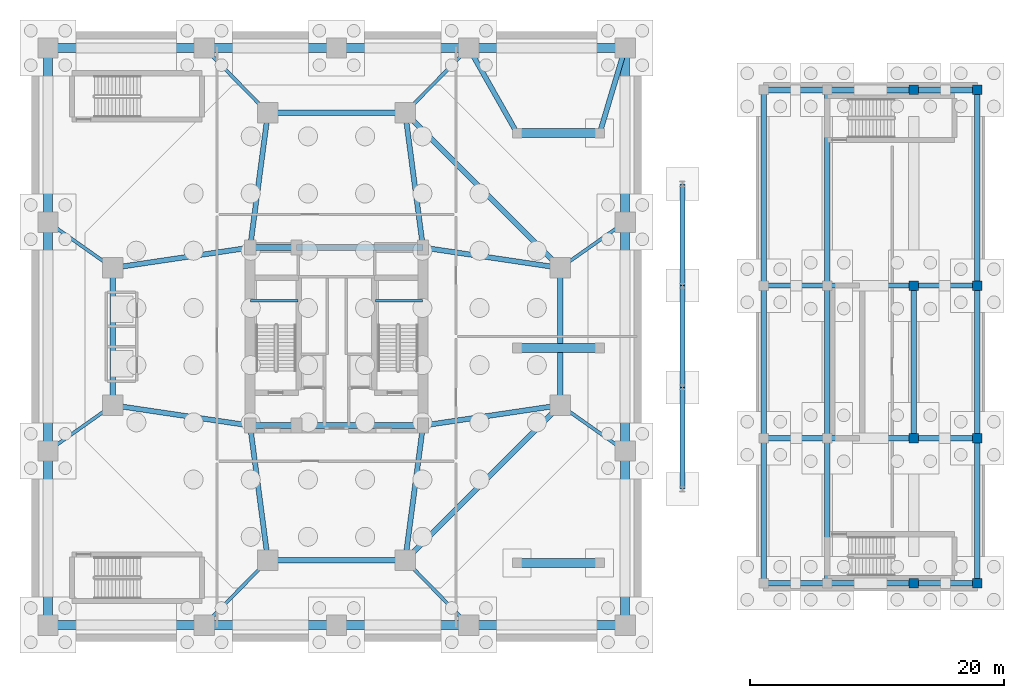
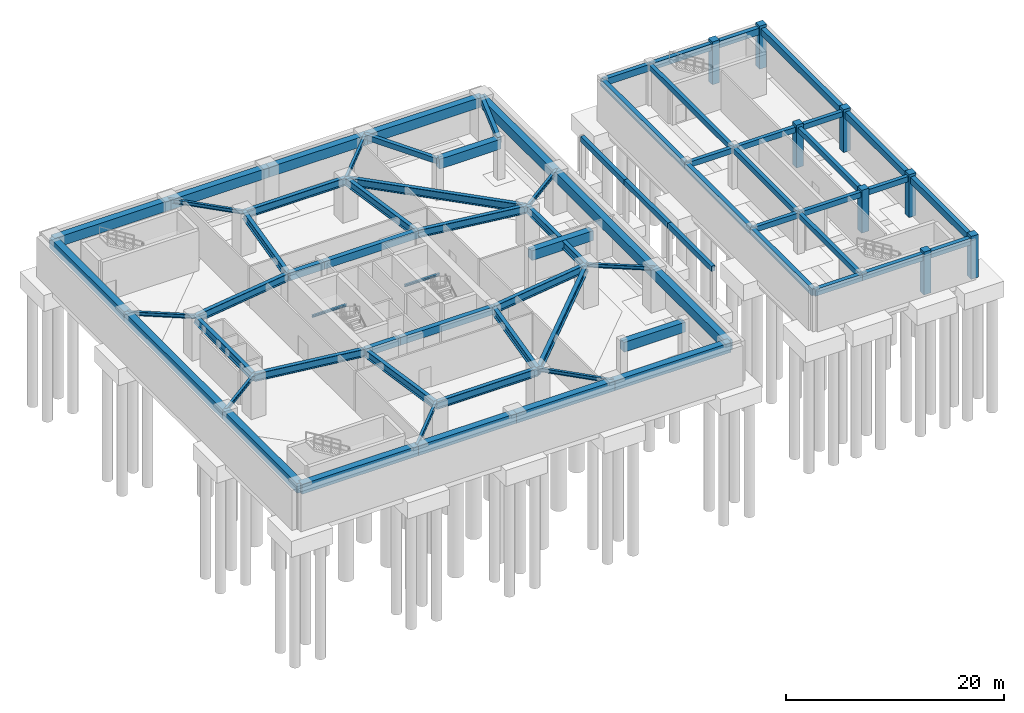
# One storey, part 5 of 11: 72 beams, 8 columns.
"""IFC4 building model written with IfcOpenShell, lengths in metres."""

from ifc_helpers import new_model, si_unit, direction, frame, origin, origin_2d, place, context, subcontext, project, spatial, rectangle, i_section, extrude, material, material_profile, profile_set, type_object, element, save


model = new_model("IFC4")

# Units and contexts
model_context = context("Model", 3, precision=1e-05, world=origin(), true_north=direction((0.0, 1.0)))
body_context = subcontext(model_context, "Body", "Model", "MODEL_VIEW")
ifc_project = project(units=[si_unit("LENGTHUNIT", "METRE"), si_unit("AREAUNIT", "SQUARE_METRE"), si_unit("VOLUMEUNIT", "CUBIC_METRE"), si_unit("PLANEANGLEUNIT", "RADIAN"), si_unit("MASSUNIT", "GRAM", prefix="KILO")], contexts=[model_context])

# Site, building, storey
site_placement = place(None, origin())
site = spatial("IfcSite", under=ifc_project, at=site_placement, CompositionType="ELEMENT")
building_placement = place(site_placement, origin())
building = spatial("IfcBuilding", under=site, at=building_placement, Name="Veraguas Prism Commons", CompositionType="ELEMENT")
storey_placement = place(building_placement, frame((0.0, 0.0, -10.0)))
storey = spatial("IfcBuildingStorey", under=building, at=storey_placement, Name="B2", CompositionType="ELEMENT", Elevation=-10.0)

# Columns
ifc_material_1 = material(Name="Concrete C50/60", Category="concrete")
ifc_material_profile_1 = material_profile(ifc_material_1, rectangle(XDim=0.75, YDim=0.75, at=origin_2d()), Name="RC750X750")
ifc_profile_set_1 = profile_set([ifc_material_profile_1], Name="Concrete C50/60")
column_type = type_object("IfcColumnType", Name="Column Clinic RC 750x750", PredefinedType="COLUMN", material=ifc_profile_set_1)
for number, where, z_axis, x_axis, name in (
    (1, (69.39990234375, 4.60009765625, 0.0), (0.0, 0.0, 1.0), (1.0, 0.0, 0.0), "Health Centre Column B2-HC09"),
    (2, (69.39990234375, 16.0, 0.0), (0.0, 0.0, 1.0), (1.0, 0.0, 0.0), "Health Centre Column B2-HC10"),
    (3, (69.39990234375, 28.0, 0.0), (0.0, 0.0, 1.0), (1.0, 0.0, 0.0), "Health Centre Column B2-HC11"),
    (4, (69.39990234375, 43.39990234375, 0.0), (0.0, 0.0, 1.0), (1.0, 0.0, 0.0), "Health Centre Column B2-HC12"),
    (5, (74.39990234375, 4.60009765625, 0.0), (0.0, 0.0, 1.0), (1.0, 0.0, 0.0), "Health Centre Column B2-HC13"),
    (6, (74.39990234375, 16.0, 0.0), (0.0, 0.0, 1.0), (1.0, 0.0, 0.0), "Health Centre Column B2-HC14"),
    (7, (74.39990234375, 28.0, 0.0), (0.0, 0.0, 1.0), (1.0, 0.0, 0.0), "Health Centre Column B2-HC15"),
    (8, (74.39990234375, 43.39990234375, 0.0), (0.0, 0.0, 1.0), (1.0, 0.0, 0.0), "Health Centre Column B2-HC16"),
):
    element("IfcColumn", number, at=place(storey_placement, frame(where, z_axis=z_axis, x_axis=x_axis)), inside=storey, type_object=column_type, Name=name, PredefinedType="COLUMN", context=body_context, shape_type="SweptSolid", body=[
        extrude(rectangle(XDim=0.75, YDim=0.75, at=origin_2d()), origin(), (0.0, 0.0, 1.0), 4.800048828125),
    ])

# Beams
ifc_material_profile_2 = material_profile(ifc_material_1, rectangle(XDim=0.39990234375, YDim=0.60009765625, at=origin_2d()), Name="RC400X600")
ifc_profile_set_2 = profile_set([ifc_material_profile_2], Name="Concrete C50/60")
beam_type_1 = type_object("IfcBeamType", Name="Clinic Secondary Beam RC 400x600", PredefinedType="BEAM", material=ifc_profile_set_2)
beam_1_placement = place(storey_placement, frame((38.199951171875, 40.0, 4.199951171875), z_axis=(-0.493347622228, 0.869832238792, 0.0), x_axis=(-0.869832238792, -0.493347622228, 0.0)))
element("IfcBeam", 9, at=beam_1_placement, inside=storey, type_object=beam_type_1, Name="Ramp Tie Beam West B2", PredefinedType="BEAM", context=body_context, shape_type="SweptSolid", body=[
    extrude(rectangle(XDim=0.39990234375, YDim=0.60009765625, at=origin_2d()), origin(), (0.0, 0.0, 1.0), 7.70263671875),
])
beam_2_placement = place(storey_placement, frame((44.699951171875, 40.0, 4.199951171875), z_axis=(0.286037440413, 0.958218442048, 0.0), x_axis=(-0.958218442048, 0.286037440413, 0.0)))
element("IfcBeam", 10, at=beam_2_placement, inside=storey, type_object=beam_type_1, Name="Ramp Tie Beam East B2", PredefinedType="BEAM", context=body_context, shape_type="SweptSolid", body=[
    extrude(rectangle(XDim=0.39990234375, YDim=0.60009765625, at=origin_2d()), origin(), (0.0, 0.0, 1.0), 6.9921875),
])
for number, where, z_axis, x_axis, name in (
    (11, (51.199951171875, 12.0, 4.5), (0.0, 1.0, 0.0), (-1.0, 0.0, 0.0), "Substructure Tie Beam B2-CNB01"),
    (12, (51.199951171875, 20.0, 4.5), (0.0, 1.0, 0.0), (-1.0, 0.0, 0.0), "Substructure Tie Beam B2-CNB02"),
    (13, (51.199951171875, 28.0, 4.5), (0.0, 1.0, 0.0), (-1.0, 0.0, 0.0), "Substructure Tie Beam B2-CNB03"),
):
    element("IfcBeam", number, at=place(storey_placement, frame(where, z_axis=z_axis, x_axis=x_axis)), inside=storey, type_object=beam_type_1, Name=name, PredefinedType="BEAM", context=body_context, shape_type="SweptSolid", body=[
        extrude(rectangle(XDim=0.39990234375, YDim=0.60009765625, at=origin_2d()), origin(), (0.0, 0.0, 1.0), 8.0),
    ])
beam_3_placement = place(storey_placement, frame((57.60009765625, 16.0, 4.199951171875), z_axis=(1.0, 0.0, 0.0), x_axis=(0.0, 1.0, 0.0)))
element("IfcBeam", 14, at=beam_3_placement, inside=storey, type_object=beam_type_1, Name="Health Centre Beam B2-HCX04", PredefinedType="BEAM", context=body_context, shape_type="SweptSolid", body=[
    extrude(rectangle(XDim=0.39990234375, YDim=0.60009765625, at=origin_2d()), origin(), (0.0, 0.0, 1.0), 5.0),
])
beam_4_placement = place(storey_placement, frame((62.60009765625, 16.0, 4.199951171875), z_axis=(1.0, 0.0, 0.0), x_axis=(0.0, 1.0, 0.0)))
element("IfcBeam", 15, at=beam_4_placement, inside=storey, type_object=beam_type_1, Name="Health Centre Beam B2-HCX05", PredefinedType="BEAM", context=body_context, shape_type="SweptSolid", body=[
    extrude(rectangle(XDim=0.39990234375, YDim=0.60009765625, at=origin_2d()), origin(), (0.0, 0.0, 1.0), 6.7998046875),
])
for number, where, z_axis, x_axis, name in (
    (16, (69.39990234375, 16.0, 4.199951171875), (1.0, 0.0, 0.0), (0.0, 1.0, 0.0), "Health Centre Beam B2-HCX06"),
    (17, (57.60009765625, 28.0, 4.199951171875), (1.0, 0.0, 0.0), (0.0, 1.0, 0.0), "Health Centre Beam B2-HCX07"),
):
    element("IfcBeam", number, at=place(storey_placement, frame(where, z_axis=z_axis, x_axis=x_axis)), inside=storey, type_object=beam_type_1, Name=name, PredefinedType="BEAM", context=body_context, shape_type="SweptSolid", body=[
        extrude(rectangle(XDim=0.39990234375, YDim=0.60009765625, at=origin_2d()), origin(), (0.0, 0.0, 1.0), 5.0),
    ])
beam_5_placement = place(storey_placement, frame((62.60009765625, 28.0, 4.199951171875), z_axis=(1.0, 0.0, 0.0), x_axis=(0.0, 1.0, 0.0)))
element("IfcBeam", 18, at=beam_5_placement, inside=storey, type_object=beam_type_1, Name="Health Centre Beam B2-HCX08", PredefinedType="BEAM", context=body_context, shape_type="SweptSolid", body=[
    extrude(rectangle(XDim=0.39990234375, YDim=0.60009765625, at=origin_2d()), origin(), (0.0, 0.0, 1.0), 6.7998046875),
])
beam_6_placement = place(storey_placement, frame((69.39990234375, 28.0, 4.199951171875), z_axis=(1.0, 0.0, 0.0), x_axis=(0.0, 1.0, 0.0)))
element("IfcBeam", 19, at=beam_6_placement, inside=storey, type_object=beam_type_1, Name="Health Centre Beam B2-HCX09", PredefinedType="BEAM", context=body_context, shape_type="SweptSolid", body=[
    extrude(rectangle(XDim=0.39990234375, YDim=0.60009765625, at=origin_2d()), origin(), (0.0, 0.0, 1.0), 5.0),
])
beam_7_placement = place(storey_placement, frame((62.60009765625, 4.60009765625, 4.199951171875), z_axis=(0.0, 1.0, 0.0), x_axis=(-1.0, 0.0, 0.0)))
element("IfcBeam", 20, at=beam_7_placement, inside=storey, type_object=beam_type_1, Name="Health Centre Beam B2-HCY16", PredefinedType="BEAM", context=body_context, shape_type="SweptSolid", body=[
    extrude(rectangle(XDim=0.39990234375, YDim=0.60009765625, at=origin_2d()), origin(), (0.0, 0.0, 1.0), 11.39990234375),
])
beam_8_placement = place(storey_placement, frame((62.60009765625, 16.0, 4.199951171875), z_axis=(0.0, 1.0, 0.0), x_axis=(-1.0, 0.0, 0.0)))
element("IfcBeam", 21, at=beam_8_placement, inside=storey, type_object=beam_type_1, Name="Health Centre Beam B2-HCY17", PredefinedType="BEAM", context=body_context, shape_type="SweptSolid", body=[
    extrude(rectangle(XDim=0.39990234375, YDim=0.60009765625, at=origin_2d()), origin(), (0.0, 0.0, 1.0), 12.0),
])
beam_9_placement = place(storey_placement, frame((62.60009765625, 28.0, 4.199951171875), z_axis=(0.0, 1.0, 0.0), x_axis=(-1.0, 0.0, 0.0)))
element("IfcBeam", 22, at=beam_9_placement, inside=storey, type_object=beam_type_1, Name="Health Centre Beam B2-HCY18", PredefinedType="BEAM", context=body_context, shape_type="SweptSolid", body=[
    extrude(rectangle(XDim=0.39990234375, YDim=0.60009765625, at=origin_2d()), origin(), (0.0, 0.0, 1.0), 15.39990234375),
])
beam_10_placement = place(storey_placement, frame((69.39990234375, 16.0, 4.199951171875), z_axis=(0.0, 1.0, 0.0), x_axis=(-1.0, 0.0, 0.0)))
element("IfcBeam", 23, at=beam_10_placement, inside=storey, type_object=beam_type_1, Name="Health Centre Beam B2-HCY20", PredefinedType="BEAM", context=body_context, shape_type="SweptSolid", body=[
    extrude(rectangle(XDim=0.39990234375, YDim=0.60009765625, at=origin_2d()), origin(), (0.0, 0.0, 1.0), 12.0),
])
ifc_material_2 = material(Name="Steel ASTM A992 Grade 50", Category="steel")
ifc_material_profile_3 = material_profile(ifc_material_2, i_section(OverallWidth=0.403076171875, OverallDepth=0.867919921875, WebThickness=0.02099609375, FlangeThickness=0.03564453125, at=origin_2d()), Name="W840X359")
ifc_profile_set_3 = profile_set([ifc_material_profile_3], Name="Steel ASTM A992 Grade 50")
beam_type_2 = type_object("IfcBeamType", Name="Concourse Primary Girder W840x359", PredefinedType="BEAM", material=ifc_profile_set_3)
for number, where, z_axis, x_axis, name in (
    (24, (41.60009765625, 18.60009765625, 4.06591796875), (-0.989202261707, -0.146556765224, 0.0), (0.146556765224, -0.989202261707, 0.0), "Concourse Radial Girder B2-TMR01"),
    (25, (41.60009765625, 29.39990234375, 4.06591796875), (-0.989202261707, 0.146556765224, 0.0), (-0.146556765224, -0.989202261707, 0.0), "Concourse Radial Girder B2-TMR02"),
):
    element("IfcBeam", number, at=place(storey_placement, frame(where, z_axis=z_axis, x_axis=x_axis)), inside=storey, type_object=beam_type_2, Name=name, PredefinedType="BEAM", context=body_context, shape_type="SweptSolid", body=[
        extrude(i_section(OverallWidth=0.403076171875, OverallDepth=0.867919921875, WebThickness=0.02099609375, FlangeThickness=0.03564453125, at=origin_2d()), origin(), (0.0, 0.0, 1.0), 10.91796875),
    ])
for number, where, z_axis, x_axis, name in (
    (26, (29.39990234375, 41.60009765625, 4.06591796875), (0.130950648891, -0.991388888154, 0.0), (0.991388888154, 0.130950648891, 0.0), "Concourse Radial Girder B2-TMR03"),
    (27, (18.60009765625, 41.60009765625, 4.06591796875), (-0.130950648891, -0.991388888154, 0.0), (0.991388888154, -0.130950648891, 0.0), "Concourse Radial Girder B2-TMR04"),
):
    element("IfcBeam", number, at=place(storey_placement, frame(where, z_axis=z_axis, x_axis=x_axis)), inside=storey, type_object=beam_type_2, Name=name, PredefinedType="BEAM", context=body_context, shape_type="SweptSolid", body=[
        extrude(i_section(OverallWidth=0.403076171875, OverallDepth=0.867919921875, WebThickness=0.02099609375, FlangeThickness=0.03564453125, at=origin_2d()), origin(), (0.0, 0.0, 1.0), 10.692138671875),
    ])
for number, where, z_axis, x_axis, name in (
    (28, (6.39990234375, 29.39990234375, 4.06591796875), (0.989202261707, 0.146556765224, 0.0), (-0.146556765224, 0.989202261707, 0.0), "Concourse Radial Girder B2-TMR05"),
    (29, (6.39990234375, 18.60009765625, 4.06591796875), (0.989202261707, -0.146556765224, 0.0), (0.146556765224, 0.989202261707, 0.0), "Concourse Radial Girder B2-TMR06"),
):
    element("IfcBeam", number, at=place(storey_placement, frame(where, z_axis=z_axis, x_axis=x_axis)), inside=storey, type_object=beam_type_2, Name=name, PredefinedType="BEAM", context=body_context, shape_type="SweptSolid", body=[
        extrude(i_section(OverallWidth=0.403076171875, OverallDepth=0.867919921875, WebThickness=0.02099609375, FlangeThickness=0.03564453125, at=origin_2d()), origin(), (0.0, 0.0, 1.0), 10.91796875),
    ])
for number, where, z_axis, x_axis, name in (
    (30, (18.60009765625, 6.39990234375, 4.06591796875), (-0.130950648891, 0.991388888154, 0.0), (-0.991388888154, -0.130950648891, 0.0), "Concourse Radial Girder B2-TMR07"),
    (31, (29.39990234375, 6.39990234375, 4.06591796875), (0.130950648891, 0.991388888154, 0.0), (-0.991388888154, 0.130950648891, 0.0), "Concourse Radial Girder B2-TMR08"),
):
    element("IfcBeam", number, at=place(storey_placement, frame(where, z_axis=z_axis, x_axis=x_axis)), inside=storey, type_object=beam_type_2, Name=name, PredefinedType="BEAM", context=body_context, shape_type="SweptSolid", body=[
        extrude(i_section(OverallWidth=0.403076171875, OverallDepth=0.867919921875, WebThickness=0.02099609375, FlangeThickness=0.03564453125, at=origin_2d()), origin(), (0.0, 0.0, 1.0), 10.692138671875),
    ])
beam_11_placement = place(storey_placement, frame((41.60009765625, 18.60009765625, 4.06591796875), z_axis=(0.0, 1.0, 0.0), x_axis=(-1.0, 0.0, 0.0)))
element("IfcBeam", 32, at=beam_11_placement, inside=storey, type_object=beam_type_2, Name="Concourse Ring Girder B2-TMH01", PredefinedType="BEAM", context=body_context, shape_type="SweptSolid", body=[
    extrude(i_section(OverallWidth=0.403076171875, OverallDepth=0.867919921875, WebThickness=0.02099609375, FlangeThickness=0.03564453125, at=origin_2d()), origin(), (0.0, 0.0, 1.0), 10.7998046875),
])
beam_12_placement = place(storey_placement, frame((41.60009765625, 29.39990234375, 4.06591796875), z_axis=(-0.707106781187, 0.707106781187, 0.0), x_axis=(-0.707106781187, -0.707106781187, 0.0)))
element("IfcBeam", 33, at=beam_12_placement, inside=storey, type_object=beam_type_2, Name="Concourse Ring Girder B2-TMH02", PredefinedType="BEAM", context=body_context, shape_type="SweptSolid", body=[
    extrude(i_section(OverallWidth=0.403076171875, OverallDepth=0.867919921875, WebThickness=0.02099609375, FlangeThickness=0.03564453125, at=origin_2d()), origin(), (0.0, 0.0, 1.0), 17.253662109375),
])
for number, where, z_axis, x_axis, name in (
    (34, (29.39990234375, 41.60009765625, 4.06591796875), (-1.0, 0.0, 0.0), (0.0, -1.0, 0.0), "Concourse Ring Girder B2-TMH03"),
    (35, (6.39990234375, 29.39990234375, 4.06591796875), (0.0, -1.0, 0.0), (1.0, 0.0, 0.0), "Concourse Ring Girder B2-TMH05"),
    (36, (18.60009765625, 6.39990234375, 4.06591796875), (1.0, 0.0, 0.0), (0.0, 1.0, 0.0), "Concourse Ring Girder B2-TMH07"),
):
    element("IfcBeam", number, at=place(storey_placement, frame(where, z_axis=z_axis, x_axis=x_axis)), inside=storey, type_object=beam_type_2, Name=name, PredefinedType="BEAM", context=body_context, shape_type="SweptSolid", body=[
        extrude(i_section(OverallWidth=0.403076171875, OverallDepth=0.867919921875, WebThickness=0.02099609375, FlangeThickness=0.03564453125, at=origin_2d()), origin(), (0.0, 0.0, 1.0), 10.7998046875),
    ])
beam_13_placement = place(storey_placement, frame((29.39990234375, 6.39990234375, 4.06591796875), z_axis=(0.707106781187, 0.707106781187, 0.0), x_axis=(-0.707106781187, 0.707106781187, 0.0)))
element("IfcBeam", 37, at=beam_13_placement, inside=storey, type_object=beam_type_2, Name="Concourse Ring Girder B2-TMH08", PredefinedType="BEAM", context=body_context, shape_type="SweptSolid", body=[
    extrude(i_section(OverallWidth=0.403076171875, OverallDepth=0.867919921875, WebThickness=0.02099609375, FlangeThickness=0.03564453125, at=origin_2d()), origin(), (0.0, 0.0, 1.0), 17.253662109375),
])
ifc_material_profile_4 = material_profile(ifc_material_1, rectangle(XDim=0.5, YDim=0.85009765625, at=origin_2d()), Name="RC500X850")
ifc_profile_set_4 = profile_set([ifc_material_profile_4], Name="Concrete C50/60")
beam_type_3 = type_object("IfcBeamType", Name="Core Coupling Beam RC 500x850", PredefinedType="BEAM", material=ifc_profile_set_4)
beam_14_placement = place(storey_placement, frame((17.199951171875, 17.0, 4.074951171875), z_axis=(1.0, 0.0, 0.0), x_axis=(0.0, 1.0, 0.0)))
element("IfcBeam", 38, at=beam_14_placement, inside=storey, type_object=beam_type_3, Name="Core Coupling Beam B2-CRS1", PredefinedType="BEAM", context=body_context, shape_type="SweptSolid", body=[
    extrude(rectangle(XDim=0.5, YDim=0.85009765625, at=origin_2d()), origin(), (0.0, 0.0, 1.0), 3.650146484375),
])
beam_15_placement = place(storey_placement, frame((20.85009765625, 17.0, 4.074951171875), z_axis=(1.0, 0.0, 0.0), x_axis=(0.0, 1.0, 0.0)))
element("IfcBeam", 39, at=beam_15_placement, inside=storey, type_object=beam_type_3, Name="Core Coupling Beam B2-CRS2", PredefinedType="BEAM", context=body_context, shape_type="SweptSolid", body=[
    extrude(rectangle(XDim=0.5, YDim=0.85009765625, at=origin_2d()), origin(), (0.0, 0.0, 1.0), 9.949951171875),
])
beam_16_placement = place(storey_placement, frame((17.199951171875, 31.0, 4.074951171875), z_axis=(1.0, 0.0, 0.0), x_axis=(0.0, 1.0, 0.0)))
element("IfcBeam", 40, at=beam_16_placement, inside=storey, type_object=beam_type_3, Name="Core Coupling Beam B2-CRN1", PredefinedType="BEAM", context=body_context, shape_type="SweptSolid", body=[
    extrude(rectangle(XDim=0.5, YDim=0.85009765625, at=origin_2d()), origin(), (0.0, 0.0, 1.0), 3.650146484375),
])
beam_17_placement = place(storey_placement, frame((20.85009765625, 31.0, 4.074951171875), z_axis=(1.0, 0.0, 0.0), x_axis=(0.0, 1.0, 0.0)))
element("IfcBeam", 41, at=beam_17_placement, inside=storey, type_object=beam_type_3, Name="Core Coupling Beam B2-CRN2", PredefinedType="BEAM", context=body_context, shape_type="SweptSolid", body=[
    extrude(rectangle(XDim=0.5, YDim=0.85009765625, at=origin_2d()), origin(), (0.0, 0.0, 1.0), 9.949951171875),
])
ifc_material_profile_5 = material_profile(ifc_material_2, i_section(OverallWidth=0.260986328125, OverallDepth=0.419921875, WebThickness=0.01171875, FlangeThickness=0.019287109375, at=origin_2d()), Name="W410X114")
ifc_profile_set_5 = profile_set([ifc_material_profile_5], Name="Steel ASTM A992 Grade 50")
beam_type_4 = type_object("IfcBeamType", Name="Lower Floor Joist W410x114", PredefinedType="JOIST", material=ifc_profile_set_5)
for number, where, z_axis, x_axis, name in (
    (42, (41.60009765625, 18.60009765625, 4.2900390625), (0.816952688962, -0.576704693927, 0.0), (0.576704693927, 0.816952688962, 0.0), "Podium Tie Beam B2-TMT01"),
    (43, (41.60009765625, 29.39990234375, 4.2900390625), (0.816952688962, 0.576704693927, 0.0), (-0.576704693927, 0.816952688962, 0.0), "Podium Tie Beam B2-TMT02"),
):
    element("IfcBeam", number, at=place(storey_placement, frame(where, z_axis=z_axis, x_axis=x_axis)), inside=storey, type_object=beam_type_4, Name=name, PredefinedType="JOIST", context=body_context, shape_type="SweptSolid", body=[
        extrude(i_section(OverallWidth=0.260986328125, OverallDepth=0.419921875, WebThickness=0.01171875, FlangeThickness=0.019287109375, at=origin_2d()), origin(), (0.0, 0.0, 1.0), 6.242431640625),
    ])
for number, where, z_axis, x_axis, name in (
    (44, (29.39990234375, 41.60009765625, 4.2900390625), (0.700081663946, 0.71406278702, 0.0), (-0.71406278702, 0.700081663946, 0.0), "Podium Tie Beam B2-TMT03"),
    (45, (18.60009765625, 41.60009765625, 4.2900390625), (-0.700081663946, 0.71406278702, 0.0), (-0.71406278702, -0.700081663946, 0.0), "Podium Tie Beam B2-TMT04"),
):
    element("IfcBeam", number, at=place(storey_placement, frame(where, z_axis=z_axis, x_axis=x_axis)), inside=storey, type_object=beam_type_4, Name=name, PredefinedType="JOIST", context=body_context, shape_type="SweptSolid", body=[
        extrude(i_section(OverallWidth=0.260986328125, OverallDepth=0.419921875, WebThickness=0.01171875, FlangeThickness=0.019287109375, at=origin_2d()), origin(), (0.0, 0.0, 1.0), 7.14208984375),
    ])
for number, where, z_axis, x_axis, name in (
    (46, (6.39990234375, 29.39990234375, 4.2900390625), (-0.816952688962, 0.576704693927, 0.0), (-0.576704693927, -0.816952688962, 0.0), "Podium Tie Beam B2-TMT05"),
    (47, (6.39990234375, 18.60009765625, 4.2900390625), (-0.816952688962, -0.576704693927, 0.0), (0.576704693927, -0.816952688962, 0.0), "Podium Tie Beam B2-TMT06"),
):
    element("IfcBeam", number, at=place(storey_placement, frame(where, z_axis=z_axis, x_axis=x_axis)), inside=storey, type_object=beam_type_4, Name=name, PredefinedType="JOIST", context=body_context, shape_type="SweptSolid", body=[
        extrude(i_section(OverallWidth=0.260986328125, OverallDepth=0.419921875, WebThickness=0.01171875, FlangeThickness=0.019287109375, at=origin_2d()), origin(), (0.0, 0.0, 1.0), 6.242431640625),
    ])
for number, where, z_axis, x_axis, name in (
    (48, (18.60009765625, 6.39990234375, 4.2900390625), (-0.700081663946, -0.71406278702, 0.0), (0.71406278702, -0.700081663946, 0.0), "Podium Tie Beam B2-TMT07"),
    (49, (29.39990234375, 6.39990234375, 4.2900390625), (0.700081663946, -0.71406278702, 0.0), (0.71406278702, 0.700081663946, 0.0), "Podium Tie Beam B2-TMT08"),
):
    element("IfcBeam", number, at=place(storey_placement, frame(where, z_axis=z_axis, x_axis=x_axis)), inside=storey, type_object=beam_type_4, Name=name, PredefinedType="JOIST", context=body_context, shape_type="SweptSolid", body=[
        extrude(i_section(OverallWidth=0.260986328125, OverallDepth=0.419921875, WebThickness=0.01171875, FlangeThickness=0.019287109375, at=origin_2d()), origin(), (0.0, 0.0, 1.0), 7.14208984375),
    ])
ifc_material_profile_6 = material_profile(ifc_material_1, rectangle(XDim=0.449951171875, YDim=0.75, at=origin_2d()), Name="RC450X750")
ifc_profile_set_6 = profile_set([ifc_material_profile_6], Name="Concrete C50/60")
beam_type_5 = type_object("IfcBeamType", Name="Perimeter Spandrel Upper RC 450x750", PredefinedType="SPANDREL", material=ifc_profile_set_6)
beam_18_placement = place(storey_placement, frame((57.60009765625, 4.60009765625, 4.125), z_axis=(1.0, 0.0, 0.0), x_axis=(0.0, 1.0, 0.0)))
element("IfcBeam", 50, at=beam_18_placement, inside=storey, type_object=beam_type_5, Name="Health Centre Beam B2-HCX01", PredefinedType="SPANDREL", context=body_context, shape_type="SweptSolid", body=[
    extrude(rectangle(XDim=0.449951171875, YDim=0.75, at=origin_2d()), origin(), (0.0, 0.0, 1.0), 5.0),
])
beam_19_placement = place(storey_placement, frame((62.60009765625, 4.60009765625, 4.125), z_axis=(1.0, 0.0, 0.0), x_axis=(0.0, 1.0, 0.0)))
element("IfcBeam", 51, at=beam_19_placement, inside=storey, type_object=beam_type_5, Name="Health Centre Beam B2-HCX02", PredefinedType="SPANDREL", context=body_context, shape_type="SweptSolid", body=[
    extrude(rectangle(XDim=0.449951171875, YDim=0.75, at=origin_2d()), origin(), (0.0, 0.0, 1.0), 6.7998046875),
])
for number, where, z_axis, x_axis, name in (
    (52, (69.39990234375, 4.60009765625, 4.125), (1.0, 0.0, 0.0), (0.0, 1.0, 0.0), "Health Centre Beam B2-HCX03"),
    (53, (57.60009765625, 43.39990234375, 4.125), (1.0, 0.0, 0.0), (0.0, 1.0, 0.0), "Health Centre Beam B2-HCX10"),
):
    element("IfcBeam", number, at=place(storey_placement, frame(where, z_axis=z_axis, x_axis=x_axis)), inside=storey, type_object=beam_type_5, Name=name, PredefinedType="SPANDREL", context=body_context, shape_type="SweptSolid", body=[
        extrude(rectangle(XDim=0.449951171875, YDim=0.75, at=origin_2d()), origin(), (0.0, 0.0, 1.0), 5.0),
    ])
beam_20_placement = place(storey_placement, frame((62.60009765625, 43.39990234375, 4.125), z_axis=(1.0, 0.0, 0.0), x_axis=(0.0, 1.0, 0.0)))
element("IfcBeam", 54, at=beam_20_placement, inside=storey, type_object=beam_type_5, Name="Health Centre Beam B2-HCX11", PredefinedType="SPANDREL", context=body_context, shape_type="SweptSolid", body=[
    extrude(rectangle(XDim=0.449951171875, YDim=0.75, at=origin_2d()), origin(), (0.0, 0.0, 1.0), 6.7998046875),
])
beam_21_placement = place(storey_placement, frame((69.39990234375, 43.39990234375, 4.125), z_axis=(1.0, 0.0, 0.0), x_axis=(0.0, 1.0, 0.0)))
element("IfcBeam", 55, at=beam_21_placement, inside=storey, type_object=beam_type_5, Name="Health Centre Beam B2-HCX12", PredefinedType="SPANDREL", context=body_context, shape_type="SweptSolid", body=[
    extrude(rectangle(XDim=0.449951171875, YDim=0.75, at=origin_2d()), origin(), (0.0, 0.0, 1.0), 5.0),
])
beam_22_placement = place(storey_placement, frame((57.60009765625, 4.60009765625, 4.125), z_axis=(0.0, 1.0, 0.0), x_axis=(-1.0, 0.0, 0.0)))
element("IfcBeam", 56, at=beam_22_placement, inside=storey, type_object=beam_type_5, Name="Health Centre Beam B2-HCY13", PredefinedType="SPANDREL", context=body_context, shape_type="SweptSolid", body=[
    extrude(rectangle(XDim=0.449951171875, YDim=0.75, at=origin_2d()), origin(), (0.0, 0.0, 1.0), 11.39990234375),
])
beam_23_placement = place(storey_placement, frame((57.60009765625, 16.0, 4.125), z_axis=(0.0, 1.0, 0.0), x_axis=(-1.0, 0.0, 0.0)))
element("IfcBeam", 57, at=beam_23_placement, inside=storey, type_object=beam_type_5, Name="Health Centre Beam B2-HCY14", PredefinedType="SPANDREL", context=body_context, shape_type="SweptSolid", body=[
    extrude(rectangle(XDim=0.449951171875, YDim=0.75, at=origin_2d()), origin(), (0.0, 0.0, 1.0), 12.0),
])
beam_24_placement = place(storey_placement, frame((57.60009765625, 28.0, 4.125), z_axis=(0.0, 1.0, 0.0), x_axis=(-1.0, 0.0, 0.0)))
element("IfcBeam", 58, at=beam_24_placement, inside=storey, type_object=beam_type_5, Name="Health Centre Beam B2-HCY15", PredefinedType="SPANDREL", context=body_context, shape_type="SweptSolid", body=[
    extrude(rectangle(XDim=0.449951171875, YDim=0.75, at=origin_2d()), origin(), (0.0, 0.0, 1.0), 15.39990234375),
])
beam_25_placement = place(storey_placement, frame((74.39990234375, 4.60009765625, 4.125), z_axis=(0.0, 1.0, 0.0), x_axis=(-1.0, 0.0, 0.0)))
element("IfcBeam", 59, at=beam_25_placement, inside=storey, type_object=beam_type_5, Name="Health Centre Beam B2-HCY22", PredefinedType="SPANDREL", context=body_context, shape_type="SweptSolid", body=[
    extrude(rectangle(XDim=0.449951171875, YDim=0.75, at=origin_2d()), origin(), (0.0, 0.0, 1.0), 11.39990234375),
])
beam_26_placement = place(storey_placement, frame((74.39990234375, 16.0, 4.125), z_axis=(0.0, 1.0, 0.0), x_axis=(-1.0, 0.0, 0.0)))
element("IfcBeam", 60, at=beam_26_placement, inside=storey, type_object=beam_type_5, Name="Health Centre Beam B2-HCY23", PredefinedType="SPANDREL", context=body_context, shape_type="SweptSolid", body=[
    extrude(rectangle(XDim=0.449951171875, YDim=0.75, at=origin_2d()), origin(), (0.0, 0.0, 1.0), 12.0),
])
beam_27_placement = place(storey_placement, frame((74.39990234375, 28.0, 4.125), z_axis=(0.0, 1.0, 0.0), x_axis=(-1.0, 0.0, 0.0)))
element("IfcBeam", 61, at=beam_27_placement, inside=storey, type_object=beam_type_5, Name="Health Centre Beam B2-HCY24", PredefinedType="SPANDREL", context=body_context, shape_type="SweptSolid", body=[
    extrude(rectangle(XDim=0.449951171875, YDim=0.75, at=origin_2d()), origin(), (0.0, 0.0, 1.0), 15.39990234375),
])
ifc_material_profile_7 = material_profile(ifc_material_1, rectangle(XDim=0.699951171875, YDim=1.10009765625, at=origin_2d()), Name="RC700X1100")
ifc_profile_set_7 = profile_set([ifc_material_profile_7], Name="Concrete C50/60")
beam_type_6 = type_object("IfcBeamType", Name="Podium Primary Girder RC 700x1100", PredefinedType="BEAM", material=ifc_profile_set_7)
beam_28_placement = place(storey_placement, frame((1.300048828125, 1.300048828125, 3.949951171875), z_axis=(1.0, 0.0, 0.0), x_axis=(0.0, 1.0, 0.0)))
element("IfcBeam", 62, at=beam_28_placement, inside=storey, type_object=beam_type_6, Name="Podium Perimeter Girder B2-PDR01", PredefinedType="BEAM", context=body_context, shape_type="SweptSolid", body=[
    extrude(rectangle(XDim=0.699951171875, YDim=1.10009765625, at=origin_2d()), origin(), (0.0, 0.0, 1.0), 12.300048828125),
])
for number, where, z_axis, x_axis, name in (
    (63, (13.60009765625, 1.300048828125, 3.949951171875), (1.0, 0.0, 0.0), (0.0, 1.0, 0.0), "Podium Perimeter Girder B2-PDR02"),
    (64, (24.0, 1.300048828125, 3.949951171875), (1.0, 0.0, 0.0), (0.0, 1.0, 0.0), "Podium Perimeter Girder B2-PDR03"),
):
    element("IfcBeam", number, at=place(storey_placement, frame(where, z_axis=z_axis, x_axis=x_axis)), inside=storey, type_object=beam_type_6, Name=name, PredefinedType="BEAM", context=body_context, shape_type="SweptSolid", body=[
        extrude(rectangle(XDim=0.699951171875, YDim=1.10009765625, at=origin_2d()), origin(), (0.0, 0.0, 1.0), 10.39990234375),
    ])
beam_29_placement = place(storey_placement, frame((34.39990234375, 1.300048828125, 3.949951171875), z_axis=(1.0, 0.0, 0.0), x_axis=(0.0, 1.0, 0.0)))
element("IfcBeam", 65, at=beam_29_placement, inside=storey, type_object=beam_type_6, Name="Podium Perimeter Girder B2-PDR04", PredefinedType="BEAM", context=body_context, shape_type="SweptSolid", body=[
    extrude(rectangle(XDim=0.699951171875, YDim=1.10009765625, at=origin_2d()), origin(), (0.0, 0.0, 1.0), 12.300048828125),
])
beam_30_placement = place(storey_placement, frame((46.699951171875, 1.300048828125, 3.949951171875), z_axis=(0.0, 1.0, 0.0), x_axis=(-1.0, 0.0, 0.0)))
element("IfcBeam", 66, at=beam_30_placement, inside=storey, type_object=beam_type_6, Name="Podium Perimeter Girder B2-PDR05", PredefinedType="BEAM", context=body_context, shape_type="SweptSolid", body=[
    extrude(rectangle(XDim=0.699951171875, YDim=1.10009765625, at=origin_2d()), origin(), (0.0, 0.0, 1.0), 13.699951171875),
])
beam_31_placement = place(storey_placement, frame((46.699951171875, 15.0, 3.949951171875), z_axis=(0.0, 1.0, 0.0), x_axis=(-1.0, 0.0, 0.0)))
element("IfcBeam", 67, at=beam_31_placement, inside=storey, type_object=beam_type_6, Name="Podium Perimeter Girder B2-PDR06", PredefinedType="BEAM", context=body_context, shape_type="SweptSolid", body=[
    extrude(rectangle(XDim=0.699951171875, YDim=1.10009765625, at=origin_2d()), origin(), (0.0, 0.0, 1.0), 18.0),
])
beam_32_placement = place(storey_placement, frame((46.699951171875, 33.0, 3.949951171875), z_axis=(0.0, 1.0, 0.0), x_axis=(-1.0, 0.0, 0.0)))
element("IfcBeam", 68, at=beam_32_placement, inside=storey, type_object=beam_type_6, Name="Podium Perimeter Girder B2-PDR07", PredefinedType="BEAM", context=body_context, shape_type="SweptSolid", body=[
    extrude(rectangle(XDim=0.699951171875, YDim=1.10009765625, at=origin_2d()), origin(), (0.0, 0.0, 1.0), 13.699951171875),
])
beam_33_placement = place(storey_placement, frame((46.699951171875, 46.699951171875, 3.949951171875), z_axis=(-1.0, 0.0, 0.0), x_axis=(0.0, -1.0, 0.0)))
element("IfcBeam", 69, at=beam_33_placement, inside=storey, type_object=beam_type_6, Name="Podium Perimeter Girder B2-PDR08", PredefinedType="BEAM", context=body_context, shape_type="SweptSolid", body=[
    extrude(rectangle(XDim=0.699951171875, YDim=1.10009765625, at=origin_2d()), origin(), (0.0, 0.0, 1.0), 12.300048828125),
])
for number, where, z_axis, x_axis, name in (
    (70, (34.39990234375, 46.699951171875, 3.949951171875), (-1.0, 0.0, 0.0), (0.0, -1.0, 0.0), "Podium Perimeter Girder B2-PDR09"),
    (71, (24.0, 46.699951171875, 3.949951171875), (-1.0, 0.0, 0.0), (0.0, -1.0, 0.0), "Podium Perimeter Girder B2-PDR10"),
):
    element("IfcBeam", number, at=place(storey_placement, frame(where, z_axis=z_axis, x_axis=x_axis)), inside=storey, type_object=beam_type_6, Name=name, PredefinedType="BEAM", context=body_context, shape_type="SweptSolid", body=[
        extrude(rectangle(XDim=0.699951171875, YDim=1.10009765625, at=origin_2d()), origin(), (0.0, 0.0, 1.0), 10.39990234375),
    ])
beam_34_placement = place(storey_placement, frame((13.60009765625, 46.699951171875, 3.949951171875), z_axis=(-1.0, 0.0, 0.0), x_axis=(0.0, -1.0, 0.0)))
element("IfcBeam", 72, at=beam_34_placement, inside=storey, type_object=beam_type_6, Name="Podium Perimeter Girder B2-PDR11", PredefinedType="BEAM", context=body_context, shape_type="SweptSolid", body=[
    extrude(rectangle(XDim=0.699951171875, YDim=1.10009765625, at=origin_2d()), origin(), (0.0, 0.0, 1.0), 12.300048828125),
])
beam_35_placement = place(storey_placement, frame((1.300048828125, 46.699951171875, 3.949951171875), z_axis=(0.0, -1.0, 0.0), x_axis=(1.0, 0.0, 0.0)))
element("IfcBeam", 73, at=beam_35_placement, inside=storey, type_object=beam_type_6, Name="Podium Perimeter Girder B2-PDR12", PredefinedType="BEAM", context=body_context, shape_type="SweptSolid", body=[
    extrude(rectangle(XDim=0.699951171875, YDim=1.10009765625, at=origin_2d()), origin(), (0.0, 0.0, 1.0), 13.699951171875),
])
beam_36_placement = place(storey_placement, frame((1.300048828125, 33.0, 3.949951171875), z_axis=(0.0, -1.0, 0.0), x_axis=(1.0, 0.0, 0.0)))
element("IfcBeam", 74, at=beam_36_placement, inside=storey, type_object=beam_type_6, Name="Podium Perimeter Girder B2-PDR13", PredefinedType="BEAM", context=body_context, shape_type="SweptSolid", body=[
    extrude(rectangle(XDim=0.699951171875, YDim=1.10009765625, at=origin_2d()), origin(), (0.0, 0.0, 1.0), 18.0),
])
beam_37_placement = place(storey_placement, frame((1.300048828125, 15.0, 3.949951171875), z_axis=(0.0, -1.0, 0.0), x_axis=(1.0, 0.0, 0.0)))
element("IfcBeam", 75, at=beam_37_placement, inside=storey, type_object=beam_type_6, Name="Podium Perimeter Girder B2-PDR14", PredefinedType="BEAM", context=body_context, shape_type="SweptSolid", body=[
    extrude(rectangle(XDim=0.699951171875, YDim=1.10009765625, at=origin_2d()), origin(), (0.0, 0.0, 1.0), 13.699951171875),
])
for number, where, z_axis, x_axis, name in (
    (76, (38.199951171875, 6.199951171875, 3.949951171875), (1.0, 0.0, 0.0), (0.0, 1.0, 0.0), "Vehicle Ramp Foot Support Girder B2"),
    (77, (38.199951171875, 23.10009765625, 3.949951171875), (1.0, 0.0, 0.0), (0.0, 1.0, 0.0), "Vehicle Ramp Substructure Tie Girder B2"),
    (78, (38.199951171875, 40.0, 3.949951171875), (1.0, 0.0, 0.0), (0.0, 1.0, 0.0), "Vehicle Ramp Landing Trimmer Beam B2"),
):
    element("IfcBeam", number, at=place(storey_placement, frame(where, z_axis=z_axis, x_axis=x_axis)), inside=storey, type_object=beam_type_6, Name=name, PredefinedType="BEAM", context=body_context, shape_type="SweptSolid", body=[
        extrude(rectangle(XDim=0.699951171875, YDim=1.10009765625, at=origin_2d()), origin(), (0.0, 0.0, 1.0), 6.5),
    ])
ifc_material_profile_8 = material_profile(ifc_material_2, i_section(OverallWidth=0.202880859375, OverallDepth=0.251953125, WebThickness=0.008056640625, FlangeThickness=0.013427734375, at=origin_2d()), Name="W250X58")
ifc_profile_set_8 = profile_set([ifc_material_profile_8], Name="Steel ASTM A992 Grade 50")
beam_type_7 = type_object("IfcBeamType", Name="Structural Opening Lintel W250x58", PredefinedType="LINTEL", material=ifc_profile_set_8)
for number, where, z_axis, x_axis, name in (
    (79, (17.25, 26.800048828125, 2.073974609375), (1.0, 0.0, 0.0), (0.0, 1.0, 0.0), "Stair ST-01 Half-Landing Support Beam B2-1"),
    (80, (27.050048828125, 26.800048828125, 2.073974609375), (1.0, 0.0, 0.0), (0.0, 1.0, 0.0), "Stair ST-02 Half-Landing Support Beam B2-1"),
):
    element("IfcBeam", number, at=place(storey_placement, frame(where, z_axis=z_axis, x_axis=x_axis)), inside=storey, type_object=beam_type_7, Name=name, PredefinedType="LINTEL", context=body_context, shape_type="SweptSolid", body=[
        extrude(i_section(OverallWidth=0.202880859375, OverallDepth=0.251953125, WebThickness=0.008056640625, FlangeThickness=0.013427734375, at=origin_2d()), origin(), (0.0, 0.0, 1.0), 3.699951171875),
    ])

save(model, "model.ifc")
